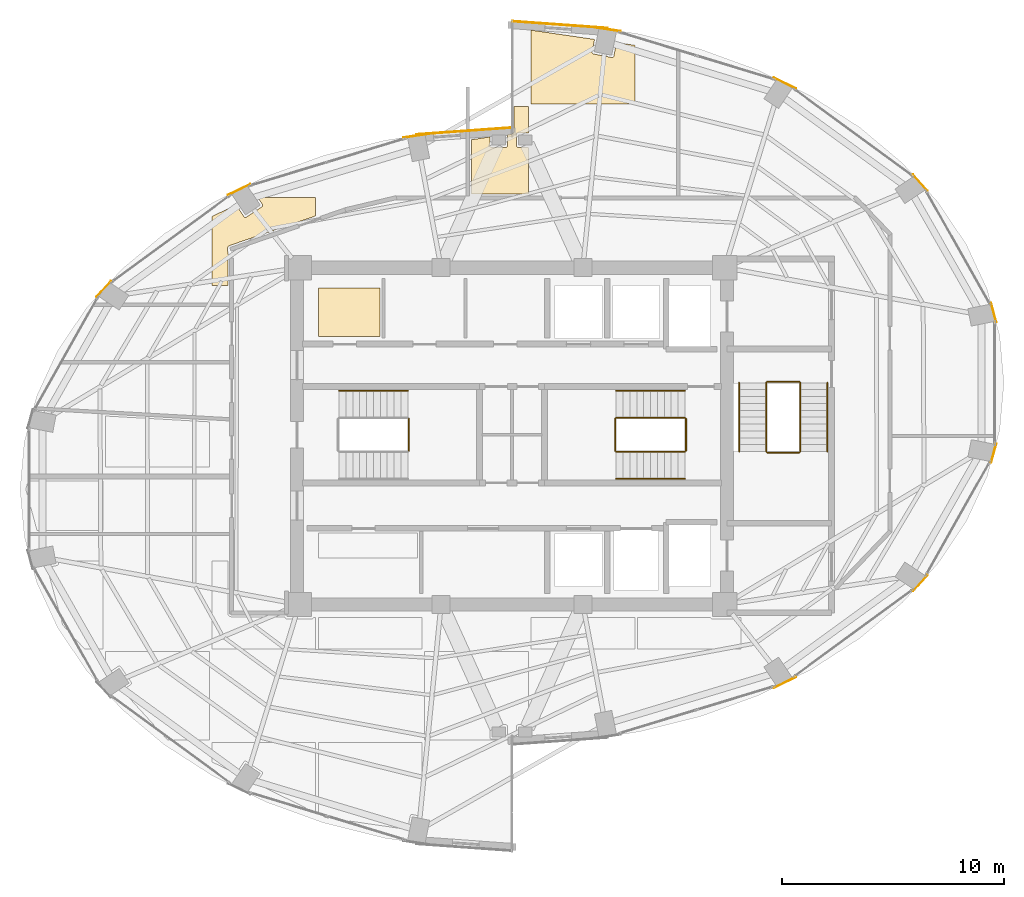
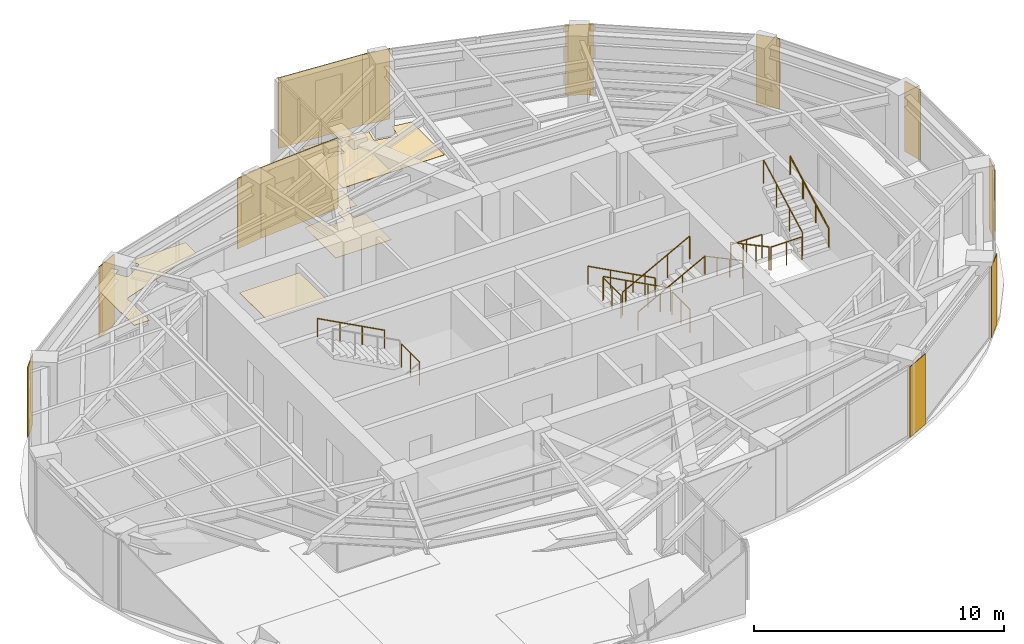
# One storey, part 23 of 23: 17 coverings, 14 railings.
"""IFC4 building model written with IfcOpenShell, lengths in metres."""

from ifc_helpers import new_model, si_unit, direction, frame, origin, origin_2d, place, context, subcontext, project, spatial, polyline, rectangle, circle, outline, extrude, material, layer, layer_set, type_object, element, save


model = new_model("IFC4")

# Units and contexts
model_context = context("Model", 3, precision=1e-05, world=origin(), true_north=direction((0.0, 1.0)))
body_context = subcontext(model_context, "Body", "Model", "MODEL_VIEW")
ifc_project = project(units=[si_unit("LENGTHUNIT", "METRE"), si_unit("AREAUNIT", "SQUARE_METRE"), si_unit("VOLUMEUNIT", "CUBIC_METRE"), si_unit("PLANEANGLEUNIT", "RADIAN"), si_unit("MASSUNIT", "GRAM", prefix="KILO")], contexts=[model_context])

# Site, building, storey
site_placement = place(None, origin())
site = spatial("IfcSite", under=ifc_project, at=site_placement, CompositionType="ELEMENT")
building_placement = place(site_placement, origin())
building = spatial("IfcBuilding", under=site, at=building_placement, Name="Lazwardi Medical Tower", CompositionType="ELEMENT")
storey_placement = place(building_placement, frame((0.0, 0.0, 209.424072265625)))
storey = spatial("IfcBuildingStorey", under=building, at=storey_placement, Name="L54", CompositionType="ELEMENT", Elevation=209.424072265625)

# Coverings
ifc_material_1 = material(Name="Anodised bronze aluminium cassette cladding", Category="aluminium")
ifc_layer_1 = layer(ifc_material_1, 0.030029296875)
ifc_layer_set_1 = layer_set([ifc_layer_1], Name="Anodised bronze aluminium cassette cladding")
covering_type_1 = type_object("IfcCoveringType", Name="COV-CLD-BRZ", PredefinedType="CLADDING", material=ifc_layer_set_1)
covering_1_placement = place(storey_placement, frame((48.311279296875, 16.878662109375, 0.0), z_axis=(0.0, 0.0, 1.0), x_axis=(0.897840141691, 0.440321564278, 0.0)))
element("IfcCovering", 1, at=covering_1_placement, inside=storey, type_object=covering_type_1, Name="L54 Mega-column bronze cassette cover M02", PredefinedType="CLADDING", context=body_context, shape_type="SweptSolid", body=[
    extrude(rectangle(XDim=1.110595703125, YDim=0.030029296875, at=origin_2d()), origin(), (0.0, 0.0, 1.0), 3.447998046875),
])
covering_2_placement = place(storey_placement, frame((54.42529296875, 21.365234375, 0.0), z_axis=(0.0, 0.0, 1.0), x_axis=(0.673240970654, 0.739423150458, 0.0)))
element("IfcCovering", 2, at=covering_2_placement, inside=storey, type_object=covering_type_1, Name="L54 Mega-column bronze cassette cover M03", PredefinedType="CLADDING", context=body_context, shape_type="SweptSolid", body=[
    extrude(rectangle(XDim=0.98974609375, YDim=0.030029296875, at=origin_2d()), origin(), (0.0, 0.0, 1.0), 3.447998046875),
])
for number, where, z_axis, x_axis, name in (
    (3, (57.734130859375, 27.227294921875, 0.0), (0.0, 0.0, 1.0), (0.261641748247, 0.96516506131, 0.0), "L54 Mega-column bronze cassette cover M04"),
    (4, (57.734130859375, 33.572509765625, 0.0), (0.0, 0.0, 1.0), (-0.261641748247, 0.96516506131, 0.0), "L54 Mega-column bronze cassette cover M05"),
):
    element("IfcCovering", number, at=place(storey_placement, frame(where, z_axis=z_axis, x_axis=x_axis)), inside=storey, type_object=covering_type_1, Name=name, PredefinedType="CLADDING", context=body_context, shape_type="SweptSolid", body=[
        extrude(rectangle(XDim=0.894287109375, YDim=0.030029296875, at=origin_2d()), origin(), (0.0, 0.0, 1.0), 3.447998046875),
    ])
covering_3_placement = place(storey_placement, frame((54.42529296875, 39.434814453125, 0.0), z_axis=(0.0, 0.0, 1.0), x_axis=(-0.673240970654, 0.739423150458, 0.0)))
element("IfcCovering", 5, at=covering_3_placement, inside=storey, type_object=covering_type_1, Name="L54 Mega-column bronze cassette cover M06", PredefinedType="CLADDING", context=body_context, shape_type="SweptSolid", body=[
    extrude(rectangle(XDim=0.98974609375, YDim=0.030029296875, at=origin_2d()), origin(), (0.0, 0.0, 1.0), 3.447998046875),
])
covering_4_placement = place(storey_placement, frame((48.311279296875, 43.92138671875, 0.0), z_axis=(0.0, 0.0, 1.0), x_axis=(-0.897840141691, 0.440321564278, 0.0)))
element("IfcCovering", 6, at=covering_4_placement, inside=storey, type_object=covering_type_1, Name="L54 Mega-column bronze cassette cover M07", PredefinedType="CLADDING", context=body_context, shape_type="SweptSolid", body=[
    extrude(rectangle(XDim=1.110595703125, YDim=0.030029296875, at=origin_2d()), origin(), (0.0, 0.0, 1.0), 3.447998046875),
])
for number, where, z_axis, x_axis, name in (
    (7, (40.3232421875, 46.349609375, 0.0), (0.0, 0.0, 1.0), (-0.989512431533, 0.144447733943, 0.0), "L54 Mega-column bronze cassette cover M08"),
    (8, (31.6767578125, 41.549560546875, 0.0), (0.0, 0.0, 1.0), (-0.989512431533, -0.144447733943, 0.0), "L54 Mega-column bronze cassette cover M09"),
):
    element("IfcCovering", number, at=place(storey_placement, frame(where, z_axis=z_axis, x_axis=x_axis)), inside=storey, type_object=covering_type_1, Name=name, PredefinedType="CLADDING", context=body_context, shape_type="SweptSolid", body=[
        extrude(rectangle(XDim=1.188720703125, YDim=0.030029296875, at=origin_2d()), origin(), (0.0, 0.0, 1.0), 3.447998046875),
    ])
covering_5_placement = place(storey_placement, frame((23.688720703125, 39.121337890625, 0.0), z_axis=(0.0, 0.0, 1.0), x_axis=(-0.897840141691, -0.440321564278, 0.0)))
element("IfcCovering", 9, at=covering_5_placement, inside=storey, type_object=covering_type_1, Name="L54 Mega-column bronze cassette cover M10", PredefinedType="CLADDING", context=body_context, shape_type="SweptSolid", body=[
    extrude(rectangle(XDim=1.110595703125, YDim=0.030029296875, at=origin_2d()), origin(), (0.0, 0.0, 1.0), 3.447998046875),
])
covering_6_placement = place(storey_placement, frame((17.57470703125, 34.634765625, 0.0), z_axis=(0.0, 0.0, 1.0), x_axis=(-0.673240970654, -0.739423150458, 0.0)))
element("IfcCovering", 10, at=covering_6_placement, inside=storey, type_object=covering_type_1, Name="L54 Mega-column bronze cassette cover M11", PredefinedType="CLADDING", context=body_context, shape_type="SweptSolid", body=[
    extrude(rectangle(XDim=0.98974609375, YDim=0.030029296875, at=origin_2d()), origin(), (0.0, 0.0, 1.0), 3.447998046875),
])
ifc_material_2 = material(Name="Turquoise glazed ceramic tilework cladding", Category="masonry")
ifc_layer_2 = layer(ifc_material_2, 0.034912109375)
ifc_layer_set_2 = layer_set([ifc_layer_2], Name="Turquoise glazed ceramic tilework cladding")
covering_type_2 = type_object("IfcCoveringType", Name="COV-CLD-TRQ", PredefinedType="CLADDING", material=ifc_layer_set_2)
covering_7_placement = place(storey_placement, frame((38.16259765625, 46.56005859375, 0.0), z_axis=(0.0, 0.0, 1.0), x_axis=(-0.997409491337, 0.071932653157, 0.0)))
element("IfcCovering", 11, at=covering_7_placement, inside=storey, type_object=covering_type_2, Name="L54 Turquoise glazed ceramic tilework cladding", PredefinedType="CLADDING", context=body_context, shape_type="SweptSolid", body=[
    extrude(rectangle(XDim=4.31103515625, YDim=0.034912109375, at=origin_2d()), origin(), (0.0, 0.0, 1.0), 3.447998046875),
])
covering_8_placement = place(storey_placement, frame((33.83740234375, 41.760009765625, 0.0), z_axis=(0.0, 0.0, 1.0), x_axis=(-0.997408989128, -0.071939616387, 0.0)))
element("IfcCovering", 12, at=covering_8_placement, inside=storey, type_object=covering_type_2, Name="L54 Turquoise glazed ceramic tilework cladding", PredefinedType="CLADDING", context=body_context, shape_type="SweptSolid", body=[
    extrude(rectangle(XDim=4.310546875, YDim=0.034912109375, at=origin_2d()), origin(), (0.0, 0.0, 1.0), 3.447998046875),
])
ifc_material_3 = material(Name="Acoustic mineral fibre tile")
ifc_layer_3 = layer(ifc_material_3, 0.02490234375)
ifc_layer_set_3 = layer_set([ifc_layer_3], Name="Acoustic mineral fibre tile")
covering_type_3 = type_object("IfcCoveringType", Name="COV-CLG-01", PredefinedType="CEILING", material=ifc_layer_set_3)
covering_9_placement = place(storey_placement, frame((0.0, 0.0, 3.302978515625)))
element("IfcCovering", 13, at=covering_9_placement, inside=storey, type_object=covering_type_3, Name="L54 Clinical Acoustic Ceiling 5", PredefinedType="CEILING", context=body_context, shape_type="SweptSolid", body=[
    extrude(outline(polyline([(24.52197265625, 38.7724609375), (24.732177734375, 38.4580078125), (24.736083984375, 38.451171875), (24.739501953125, 38.444091796875), (24.7421875, 38.436767578125), (24.744140625, 38.42919921875), (24.7451171875, 38.42138671875), (24.74560546875, 38.41357421875), (24.7451171875, 38.40576171875), (24.744140625, 38.39794921875), (24.7421875, 38.390380859375), (24.739501953125, 38.3828125), (24.736083984375, 38.375732421875), (24.732177734375, 38.369140625), (24.727294921875, 38.36279296875), (24.72216796875, 38.35693359375), (24.71630859375, 38.351806640625), (24.7099609375, 38.346923828125), (24.01171875, 37.88037109375), (24.0048828125, 37.876220703125), (23.997802734375, 37.872802734375), (23.990478515625, 37.8701171875), (23.98291015625, 37.868408203125), (23.97509765625, 37.8671875), (23.96728515625, 37.86669921875), (23.95947265625, 37.8671875), (23.95166015625, 37.868408203125), (23.944091796875, 37.8701171875), (23.9365234375, 37.872802734375), (23.929443359375, 37.876220703125), (23.9228515625, 37.88037109375), (23.91650390625, 37.885009765625), (23.91064453125, 37.89013671875), (23.905517578125, 37.89599609375), (23.900634765625, 37.90234375), (23.545654296875, 38.43359375), (22.462890625, 37.904052734375), (22.462890625, 34.79248046875), (23.175048828125, 34.79248046875), (23.175048828125, 35.982421875), (23.175048828125, 35.986572265625), (23.175537109375, 35.99609375), (23.176513671875, 36.00439453125), (23.177978515625, 36.01416015625), (23.179443359375, 36.021484375), (23.181884765625, 36.031005859375), (23.1845703125, 36.039306640625), (23.18798828125, 36.04833984375), (23.191162109375, 36.055419921875), (23.1953125, 36.064208984375), (23.199462890625, 36.071533203125), (23.20458984375, 36.079833984375), (23.209228515625, 36.086181640625), (23.212158203125, 36.090087890625), (23.1591796875, 36.40625), (23.15869140625, 36.410400390625), (23.15771484375, 36.419921875), (23.156982421875, 36.42724609375), (23.156982421875, 36.436767578125), (23.1572265625, 36.446044921875), (23.158203125, 36.45556640625), (23.1591796875, 36.462158203125), (23.160888671875, 36.4716796875), (23.162841796875, 36.480224609375), (23.16552734375, 36.4892578125), (23.16796875, 36.49658203125), (23.171630859375, 36.50537109375), (23.1748046875, 36.512451171875), (23.17919921875, 36.52099609375), (23.183837890625, 36.5283203125), (23.189208984375, 36.536376953125), (23.19384765625, 36.54248046875), (23.199951171875, 36.550048828125), (23.205078125, 36.5556640625), (23.211669921875, 36.5625), (23.218017578125, 36.56787109375), (23.225341796875, 36.573974609375), (23.2314453125, 36.57861328125), (23.239501953125, 36.583740234375), (23.24658203125, 36.587890625), (23.2548828125, 36.59228515625), (23.2626953125, 36.595947265625), (23.271728515625, 36.599365234375), (23.27490234375, 36.6005859375), (27.142822265625, 37.932861328125), (27.142822265625, 38.7724609375), (24.52197265625, 38.7724609375)])), origin(), (0.0, 0.0, 1.0), 0.02490234375),
])
covering_10_placement = place(storey_placement, frame((0.0, 0.0, 3.302978515625)))
element("IfcCovering", 14, at=covering_10_placement, inside=storey, type_object=covering_type_3, Name="L54 Clinical Acoustic Ceiling 7", PredefinedType="CEILING", context=body_context, shape_type="SweptSolid", body=[
    extrude(outline(polyline([(27.262939453125, 32.5), (30.0400390625, 32.5), (30.0400390625, 34.672607421875), (27.262939453125, 34.672607421875), (27.262939453125, 32.5)])), origin(), (0.0, 0.0, 1.0), 0.02490234375),
])
covering_11_placement = place(storey_placement, frame((0.0, 0.0, 3.302978515625)))
element("IfcCovering", 15, at=covering_11_placement, inside=storey, type_object=covering_type_3, Name="L54 Clinical Acoustic Ceiling 9", PredefinedType="CEILING", context=body_context, shape_type="SweptSolid", body=[
    extrude(outline(polyline([(36.742919921875, 41.02490234375), (36.280029296875, 41.02490234375), (36.272216796875, 41.025390625), (36.264404296875, 41.026611328125), (36.2568359375, 41.0283203125), (36.24951171875, 41.031005859375), (36.2421875, 41.034423828125), (36.235595703125, 41.03857421875), (36.229248046875, 41.043212890625), (36.223388671875, 41.04833984375), (36.21826171875, 41.05419921875), (36.21337890625, 41.060546875), (36.20947265625, 41.0673828125), (36.2060546875, 41.074462890625), (36.203369140625, 41.081787109375), (36.201416015625, 41.08935546875), (36.200439453125, 41.09716796875), (36.199951171875, 41.10498046875), (36.199951171875, 41.594970703125), (36.200439453125, 41.602783203125), (36.201416015625, 41.610595703125), (36.203369140625, 41.6181640625), (36.2060546875, 41.62548828125), (36.20947265625, 41.6328125), (36.21337890625, 41.639404296875), (36.21826171875, 41.645751953125), (36.223388671875, 41.651611328125), (36.229248046875, 41.65673828125), (36.235595703125, 41.66162109375), (36.2421875, 41.66552734375), (36.24951171875, 41.6689453125), (36.2568359375, 41.671630859375), (36.264404296875, 41.673583984375), (36.272216796875, 41.674560546875), (36.280029296875, 41.675048828125), (36.742919921875, 41.675048828125), (36.742919921875, 42.87255859375), (36.080078125, 42.87255859375), (36.080078125, 41.719970703125), (36.07958984375, 41.71240234375), (36.07861328125, 41.704833984375), (36.076904296875, 41.697509765625), (36.07421875, 41.690185546875), (36.071044921875, 41.683349609375), (36.0673828125, 41.6767578125), (36.06298828125, 41.670654296875), (36.05810546875, 41.664794921875), (36.052490234375, 41.65966796875), (36.04638671875, 41.65478515625), (36.0400390625, 41.65087890625), (36.033203125, 41.647216796875), (36.0263671875, 41.644287109375), (36.01904296875, 41.642333984375), (36.011474609375, 41.640869140625), (35.798583984375, 41.60986328125), (35.799560546875, 41.602783203125), (35.800048828125, 41.594970703125), (35.800048828125, 41.10498046875), (35.799560546875, 41.09716796875), (35.798583984375, 41.08935546875), (35.796630859375, 41.081787109375), (35.7939453125, 41.074462890625), (35.79052734375, 41.0673828125), (35.78662109375, 41.060546875), (35.78173828125, 41.05419921875), (35.776611328125, 41.04833984375), (35.770751953125, 41.043212890625), (35.764404296875, 41.03857421875), (35.7578125, 41.034423828125), (35.75048828125, 41.031005859375), (35.7431640625, 41.0283203125), (35.735595703125, 41.026611328125), (35.727783203125, 41.025390625), (35.719970703125, 41.02490234375), (35.080078125, 41.02490234375), (35.072265625, 41.025390625), (35.064453125, 41.026611328125), (35.056884765625, 41.0283203125), (35.04931640625, 41.031005859375), (35.042236328125, 41.034423828125), (35.03564453125, 41.03857421875), (35.029296875, 41.043212890625), (35.0234375, 41.04833984375), (35.018310546875, 41.05419921875), (35.013427734375, 41.060546875), (35.009521484375, 41.0673828125), (35.006103515625, 41.074462890625), (35.00341796875, 41.081787109375), (35.00146484375, 41.08935546875), (35.00048828125, 41.09716796875), (35.0, 41.10498046875), (35.0, 41.493408203125), (34.1650390625, 41.371826171875), (34.1650390625, 38.925048828125), (36.742919921875, 38.925048828125), (36.742919921875, 41.02490234375)])), origin(), (0.0, 0.0, 1.0), 0.02490234375),
])
ifc_material_4 = material(Name="Anti-static hospital vinyl sheet flooring")
ifc_layer_4 = layer(ifc_material_4, 0.014892578125)
ifc_layer_set_4 = layer_set([ifc_layer_4], Name="Anti-static hospital vinyl sheet flooring")
covering_type_4 = type_object("IfcCoveringType", Name="COV-FLR-01", PredefinedType="FLOORING", material=ifc_layer_set_4)
covering_12_placement = place(storey_placement, origin())
element("IfcCovering", 16, at=covering_12_placement, inside=storey, type_object=covering_type_4, Name="L54 Clinical Vinyl Flooring 8", PredefinedType="FLOORING", context=body_context, shape_type="SweptSolid", body=[
    extrude(outline(polyline([(36.742919921875, 41.02490234375), (36.280029296875, 41.02490234375), (36.272216796875, 41.025390625), (36.264404296875, 41.026611328125), (36.2568359375, 41.0283203125), (36.24951171875, 41.031005859375), (36.2421875, 41.034423828125), (36.235595703125, 41.03857421875), (36.229248046875, 41.043212890625), (36.223388671875, 41.04833984375), (36.21826171875, 41.05419921875), (36.21337890625, 41.060546875), (36.20947265625, 41.0673828125), (36.2060546875, 41.074462890625), (36.203369140625, 41.081787109375), (36.201416015625, 41.08935546875), (36.200439453125, 41.09716796875), (36.199951171875, 41.10498046875), (36.199951171875, 41.594970703125), (36.200439453125, 41.602783203125), (36.201416015625, 41.610595703125), (36.203369140625, 41.6181640625), (36.2060546875, 41.62548828125), (36.20947265625, 41.6328125), (36.21337890625, 41.639404296875), (36.21826171875, 41.645751953125), (36.223388671875, 41.651611328125), (36.229248046875, 41.65673828125), (36.235595703125, 41.66162109375), (36.2421875, 41.66552734375), (36.24951171875, 41.6689453125), (36.2568359375, 41.671630859375), (36.264404296875, 41.673583984375), (36.272216796875, 41.674560546875), (36.280029296875, 41.675048828125), (36.742919921875, 41.675048828125), (36.742919921875, 42.87255859375), (36.080078125, 42.87255859375), (36.080078125, 41.719970703125), (36.07958984375, 41.71240234375), (36.07861328125, 41.704833984375), (36.076904296875, 41.697509765625), (36.07421875, 41.690185546875), (36.071044921875, 41.683349609375), (36.0673828125, 41.6767578125), (36.06298828125, 41.670654296875), (36.05810546875, 41.664794921875), (36.052490234375, 41.65966796875), (36.04638671875, 41.65478515625), (36.0400390625, 41.65087890625), (36.033203125, 41.647216796875), (36.0263671875, 41.644287109375), (36.01904296875, 41.642333984375), (36.011474609375, 41.640869140625), (35.798583984375, 41.60986328125), (35.799560546875, 41.602783203125), (35.800048828125, 41.594970703125), (35.800048828125, 41.10498046875), (35.799560546875, 41.09716796875), (35.798583984375, 41.08935546875), (35.796630859375, 41.081787109375), (35.7939453125, 41.074462890625), (35.79052734375, 41.0673828125), (35.78662109375, 41.060546875), (35.78173828125, 41.05419921875), (35.776611328125, 41.04833984375), (35.770751953125, 41.043212890625), (35.764404296875, 41.03857421875), (35.7578125, 41.034423828125), (35.75048828125, 41.031005859375), (35.7431640625, 41.0283203125), (35.735595703125, 41.026611328125), (35.727783203125, 41.025390625), (35.719970703125, 41.02490234375), (35.080078125, 41.02490234375), (35.072265625, 41.025390625), (35.064453125, 41.026611328125), (35.056884765625, 41.0283203125), (35.04931640625, 41.031005859375), (35.042236328125, 41.034423828125), (35.03564453125, 41.03857421875), (35.029296875, 41.043212890625), (35.0234375, 41.04833984375), (35.018310546875, 41.05419921875), (35.013427734375, 41.060546875), (35.009521484375, 41.0673828125), (35.006103515625, 41.074462890625), (35.00341796875, 41.081787109375), (35.00146484375, 41.08935546875), (35.00048828125, 41.09716796875), (35.0, 41.10498046875), (35.0, 41.493408203125), (34.1650390625, 41.371826171875), (34.1650390625, 38.925048828125), (36.742919921875, 38.925048828125), (36.742919921875, 41.02490234375)])), origin(), (0.0, 0.0, 1.0), 0.014892578125),
])
covering_13_placement = place(storey_placement, origin())
element("IfcCovering", 17, at=covering_13_placement, inside=storey, type_object=covering_type_4, Name="L54 Clinical Vinyl Flooring 10", PredefinedType="FLOORING", context=body_context, shape_type="SweptSolid", body=[
    extrude(outline(polyline([(41.54296875, 45.632080078125), (40.714599609375, 45.752685546875), (40.59326171875, 45.1416015625), (40.59130859375, 45.134033203125), (40.588623046875, 45.126708984375), (40.585205078125, 45.11962890625), (40.581298828125, 45.11279296875), (40.576416015625, 45.1064453125), (40.5712890625, 45.1005859375), (40.5654296875, 45.095458984375), (40.55908203125, 45.0908203125), (40.552490234375, 45.086669921875), (40.54541015625, 45.08349609375), (40.537841796875, 45.080810546875), (40.5302734375, 45.078857421875), (40.5224609375, 45.07763671875), (40.5146484375, 45.077392578125), (40.5068359375, 45.07763671875), (40.4990234375, 45.078857421875), (39.67529296875, 45.24267578125), (39.667724609375, 45.24462890625), (39.660400390625, 45.247314453125), (39.6533203125, 45.25048828125), (39.646484375, 45.254638671875), (39.64013671875, 45.259521484375), (39.63427734375, 45.2646484375), (39.629150390625, 45.2705078125), (39.62451171875, 45.27685546875), (39.620361328125, 45.283447265625), (39.616943359375, 45.29052734375), (39.6142578125, 45.298095703125), (39.6123046875, 45.3056640625), (39.611328125, 45.3134765625), (39.61083984375, 45.3212890625), (39.611328125, 45.3291015625), (39.6123046875, 45.3369140625), (39.723876953125, 45.89697265625), (36.86279296875, 46.3134765625), (36.86279296875, 42.992431640625), (41.54296875, 42.992431640625), (41.54296875, 45.632080078125)])), origin(), (0.0, 0.0, 1.0), 0.014892578125),
])

# Railings
ifc_material_5 = material(Name="Stainless steel Grade 316", Category="steel")
railing_type_1 = type_object("IfcRailingType", Name="RLG-GRD-1150", PredefinedType="GUARDRAIL", material=ifc_material_5)
railing_1_placement = place(storey_placement, frame((31.35009765625, 27.340087890625, 1.823974609375)))
element("IfcRailing", 18, at=railing_1_placement, inside=storey, type_object=railing_type_1, Name="L54 ST1 stair guard 2", PredefinedType="GUARDRAIL", context=body_context, shape_type="SweptSolid", body=[
    extrude(circle(Radius=0.02392578125, at=origin_2d()), frame((0.0, 0.0, 1.1259765625), z_axis=(0.0, 1.0, 0.0), x_axis=(-1.0, 0.0, 0.0)), (0.0, 0.0, 1.0), 1.43994140625),
    extrude(circle(Radius=0.02099609375, at=origin_2d()), origin(), (0.0, 0.0, 1.0), 1.099853515625),
    extrude(circle(Radius=0.02099609375, at=origin_2d()), frame((0.0, 0.719970703125, 0.0)), (0.0, 0.0, 1.0), 1.099853515625),
    extrude(circle(Radius=0.02099609375, at=origin_2d()), frame((0.0, 1.43994140625, 0.0)), (0.0, 0.0, 1.0), 1.099853515625),
])
railing_2_placement = place(storey_placement, frame((43.800048828125, 28.830078125, 0.165771484375)))
element("IfcRailing", 19, at=railing_2_placement, inside=storey, type_object=railing_type_1, Name="L54 ST2 stair guard 1", PredefinedType="GUARDRAIL", context=body_context, shape_type="SweptSolid", body=[
    extrude(circle(Radius=0.02392578125, at=origin_2d()), frame((0.0, 0.0, 1.1259765625), z_axis=(-0.881783298633, 0.0, 0.471654761719), x_axis=(0.0, -1.0, 0.0)), (0.0, 0.0, 1.0), 3.515625),
    extrude(circle(Radius=0.02099609375, at=origin_2d()), origin(), (0.0, 0.0, 1.0), 1.099853515625),
    extrude(circle(Radius=0.02099609375, at=origin_2d()), frame((-1.033447265625, 0.0, 0.552734375)), (0.0, 0.0, 1.0), 1.099853515625),
    extrude(circle(Radius=0.02099609375, at=origin_2d()), frame((-2.066650390625, 0.0, 1.10546875)), (0.0, 0.0, 1.0), 1.099853515625),
    extrude(circle(Radius=0.02099609375, at=origin_2d()), frame((-3.10009765625, 0.0, 1.658203125)), (0.0, 0.0, 1.0), 1.099853515625),
])
railing_3_placement = place(storey_placement, frame((40.64990234375, 28.780029296875, 1.823974609375)))
element("IfcRailing", 20, at=railing_3_placement, inside=storey, type_object=railing_type_1, Name="L54 ST2 stair guard 2", PredefinedType="GUARDRAIL", context=body_context, shape_type="SweptSolid", body=[
    extrude(circle(Radius=0.02392578125, at=origin_2d()), frame((0.0, 0.0, 1.1259765625), z_axis=(0.0, -1.0, 0.0), x_axis=(1.0, 0.0, 0.0)), (0.0, 0.0, 1.0), 1.43994140625),
    extrude(circle(Radius=0.02099609375, at=origin_2d()), origin(), (0.0, 0.0, 1.0), 1.099853515625),
    extrude(circle(Radius=0.02099609375, at=origin_2d()), frame((0.0, -0.719970703125, 0.0)), (0.0, 0.0, 1.0), 1.099853515625),
    extrude(circle(Radius=0.02099609375, at=origin_2d()), frame((0.0, -1.43994140625, 0.0)), (0.0, 0.0, 1.0), 1.099853515625),
])
railing_4_placement = place(storey_placement, frame((40.699951171875, 27.2900390625, 1.98974609375)))
element("IfcRailing", 21, at=railing_4_placement, inside=storey, type_object=railing_type_1, Name="L54 ST2 stair guard 3", PredefinedType="GUARDRAIL", context=body_context, shape_type="SweptSolid", body=[
    extrude(circle(Radius=0.02392578125, at=origin_2d()), frame((0.0, 0.0, 1.1259765625), z_axis=(0.881783298633, 0.0, 0.471654761719), x_axis=(0.0, 1.0, 0.0)), (0.0, 0.0, 1.0), 3.515625),
    extrude(circle(Radius=0.02099609375, at=origin_2d()), origin(), (0.0, 0.0, 1.0), 1.099853515625),
    extrude(circle(Radius=0.02099609375, at=origin_2d()), frame((1.033447265625, 0.0, 0.552734375)), (0.0, 0.0, 1.0), 1.099853515625),
    extrude(circle(Radius=0.02099609375, at=origin_2d()), frame((2.066650390625, 0.0, 1.10546875)), (0.0, 0.0, 1.0), 1.099853515625),
    extrude(circle(Radius=0.02099609375, at=origin_2d()), frame((3.10009765625, 0.0, 1.658203125)), (0.0, 0.0, 1.0), 1.099853515625),
])
railing_5_placement = place(storey_placement, frame((43.85009765625, 28.780029296875, 0.0)))
element("IfcRailing", 22, at=railing_5_placement, inside=storey, type_object=railing_type_1, Name="L54 ST2 stair guard 4", PredefinedType="GUARDRAIL", context=body_context, shape_type="SweptSolid", body=[
    extrude(circle(Radius=0.02392578125, at=origin_2d()), frame((0.0, 0.0, 1.1259765625), z_axis=(0.0, -1.0, 0.0), x_axis=(1.0, 0.0, 0.0)), (0.0, 0.0, 1.0), 1.43994140625),
    extrude(circle(Radius=0.02099609375, at=origin_2d()), origin(), (0.0, 0.0, 1.0), 1.099853515625),
    extrude(circle(Radius=0.02099609375, at=origin_2d()), frame((0.0, -0.719970703125, 0.0)), (0.0, 0.0, 1.0), 1.099853515625),
    extrude(circle(Radius=0.02099609375, at=origin_2d()), frame((0.0, -1.43994140625, 0.0)), (0.0, 0.0, 1.0), 1.099853515625),
])
railing_6_placement = place(storey_placement, frame((47.469970703125, 30.39990234375, 0.165771484375)))
element("IfcRailing", 23, at=railing_6_placement, inside=storey, type_object=railing_type_1, Name="L54 ST3 stair guard 1", PredefinedType="GUARDRAIL", context=body_context, shape_type="SweptSolid", body=[
    extrude(circle(Radius=0.02392578125, at=origin_2d()), frame((0.0, 0.0, 1.1259765625), z_axis=(0.0, -0.881767849116, 0.471683644262), x_axis=(1.0, 0.0, 0.0)), (0.0, 0.0, 1.0), 3.515380859375),
    extrude(circle(Radius=0.02099609375, at=origin_2d()), origin(), (0.0, 0.0, 1.0), 1.099853515625),
    extrude(circle(Radius=0.02099609375, at=origin_2d()), frame((0.0, -1.033203125, 0.552734375)), (0.0, 0.0, 1.0), 1.099853515625),
    extrude(circle(Radius=0.02099609375, at=origin_2d()), frame((0.0, -2.066650390625, 1.10546875)), (0.0, 0.0, 1.0), 1.099853515625),
    extrude(circle(Radius=0.02099609375, at=origin_2d()), frame((0.0, -3.099853515625, 1.658203125)), (0.0, 0.0, 1.0), 1.099853515625),
])
railing_7_placement = place(storey_placement, frame((47.52001953125, 27.25, 1.823974609375)))
element("IfcRailing", 24, at=railing_7_placement, inside=storey, type_object=railing_type_1, Name="L54 ST3 stair guard 2", PredefinedType="GUARDRAIL", context=body_context, shape_type="SweptSolid", body=[
    extrude(circle(Radius=0.02392578125, at=origin_2d()), frame((0.0, 0.0, 1.1259765625), z_axis=(1.0, 0.0, 0.0), x_axis=(0.0, 1.0, 0.0)), (0.0, 0.0, 1.0), 1.43994140625),
    extrude(circle(Radius=0.02099609375, at=origin_2d()), origin(), (0.0, 0.0, 1.0), 1.099853515625),
    extrude(circle(Radius=0.02099609375, at=origin_2d()), frame((0.719970703125, 0.0, 0.0)), (0.0, 0.0, 1.0), 1.099853515625),
    extrude(circle(Radius=0.02099609375, at=origin_2d()), frame((1.43994140625, 0.0, 0.0)), (0.0, 0.0, 1.0), 1.099853515625),
])
railing_8_placement = place(storey_placement, frame((49.010009765625, 27.300048828125, 1.98974609375)))
element("IfcRailing", 25, at=railing_8_placement, inside=storey, type_object=railing_type_1, Name="L54 ST3 stair guard 3", PredefinedType="GUARDRAIL", context=body_context, shape_type="SweptSolid", body=[
    extrude(circle(Radius=0.02392578125, at=origin_2d()), frame((0.0, 0.0, 1.1259765625), z_axis=(0.0, 0.881767849116, 0.471683644262), x_axis=(-1.0, 0.0, 0.0)), (0.0, 0.0, 1.0), 3.515380859375),
    extrude(circle(Radius=0.02099609375, at=origin_2d()), origin(), (0.0, 0.0, 1.0), 1.099853515625),
    extrude(circle(Radius=0.02099609375, at=origin_2d()), frame((0.0, 1.033203125, 0.552734375)), (0.0, 0.0, 1.0), 1.099853515625),
    extrude(circle(Radius=0.02099609375, at=origin_2d()), frame((0.0, 2.066650390625, 1.10546875)), (0.0, 0.0, 1.0), 1.099853515625),
    extrude(circle(Radius=0.02099609375, at=origin_2d()), frame((0.0, 3.099853515625, 1.658203125)), (0.0, 0.0, 1.0), 1.099853515625),
])
railing_9_placement = place(storey_placement, frame((47.52001953125, 30.449951171875, 0.0)))
element("IfcRailing", 26, at=railing_9_placement, inside=storey, type_object=railing_type_1, Name="L54 ST3 stair guard 4", PredefinedType="GUARDRAIL", context=body_context, shape_type="SweptSolid", body=[
    extrude(circle(Radius=0.02392578125, at=origin_2d()), frame((0.0, 0.0, 1.1259765625), z_axis=(1.0, 0.0, 0.0), x_axis=(0.0, 1.0, 0.0)), (0.0, 0.0, 1.0), 1.43994140625),
    extrude(circle(Radius=0.02099609375, at=origin_2d()), origin(), (0.0, 0.0, 1.0), 1.099853515625),
    extrude(circle(Radius=0.02099609375, at=origin_2d()), frame((0.719970703125, 0.0, 0.0)), (0.0, 0.0, 1.0), 1.099853515625),
    extrude(circle(Radius=0.02099609375, at=origin_2d()), frame((1.43994140625, 0.0, 0.0)), (0.0, 0.0, 1.0), 1.099853515625),
])
railing_type_2 = type_object("IfcRailingType", Name="RLG-HND-920", PredefinedType="HANDRAIL", material=ifc_material_5)
for number, where, name in (
    (27, (31.300048828125, 30.050048828125, 1.98974609375), "L54 ST1 stair handrail 2"),
    (28, (43.800048828125, 30.050048828125, 0.165771484375), "L54 ST2 stair handrail 1"),
):
    element("IfcRailing", number, at=place(storey_placement, frame(where)), inside=storey, type_object=railing_type_2, Name=name, PredefinedType="HANDRAIL", context=body_context, shape_type="SweptSolid", body=[
        extrude(circle(Radius=0.02392578125, at=origin_2d()), frame((0.0, 0.0, 0.8857421875), z_axis=(-0.881783298633, 0.0, 0.471654761719), x_axis=(0.0, -1.0, 0.0)), (0.0, 0.0, 1.0), 3.515625),
        extrude(circle(Radius=0.02099609375, at=origin_2d()), origin(), (0.0, 0.0, 1.0), 0.85986328125),
        extrude(circle(Radius=0.02099609375, at=origin_2d()), frame((-1.033447265625, 0.0, 0.552734375)), (0.0, 0.0, 1.0), 0.85986328125),
        extrude(circle(Radius=0.02099609375, at=origin_2d()), frame((-2.066650390625, 0.0, 1.10546875)), (0.0, 0.0, 1.0), 0.85986328125),
        extrude(circle(Radius=0.02099609375, at=origin_2d()), frame((-3.10009765625, 0.0, 1.658203125)), (0.0, 0.0, 1.0), 0.85986328125),
    ])
railing_10_placement = place(storey_placement, frame((40.699951171875, 26.070068359375, 1.98974609375)))
element("IfcRailing", 29, at=railing_10_placement, inside=storey, type_object=railing_type_2, Name="L54 ST2 stair handrail 2", PredefinedType="HANDRAIL", context=body_context, shape_type="SweptSolid", body=[
    extrude(circle(Radius=0.02392578125, at=origin_2d()), frame((0.0, 0.0, 0.8857421875), z_axis=(0.881783298633, 0.0, 0.471654761719), x_axis=(0.0, 1.0, 0.0)), (0.0, 0.0, 1.0), 3.515625),
    extrude(circle(Radius=0.02099609375, at=origin_2d()), origin(), (0.0, 0.0, 1.0), 0.85986328125),
    extrude(circle(Radius=0.02099609375, at=origin_2d()), frame((1.033447265625, 0.0, 0.552734375)), (0.0, 0.0, 1.0), 0.85986328125),
    extrude(circle(Radius=0.02099609375, at=origin_2d()), frame((2.066650390625, 0.0, 1.10546875)), (0.0, 0.0, 1.0), 0.85986328125),
    extrude(circle(Radius=0.02099609375, at=origin_2d()), frame((3.10009765625, 0.0, 1.658203125)), (0.0, 0.0, 1.0), 0.85986328125),
])
railing_11_placement = place(storey_placement, frame((46.25, 30.39990234375, 0.165771484375)))
element("IfcRailing", 30, at=railing_11_placement, inside=storey, type_object=railing_type_2, Name="L54 ST3 stair handrail 1", PredefinedType="HANDRAIL", context=body_context, shape_type="SweptSolid", body=[
    extrude(circle(Radius=0.02392578125, at=origin_2d()), frame((0.0, 0.0, 0.8857421875), z_axis=(0.0, -0.881767849116, 0.471683644262), x_axis=(1.0, 0.0, 0.0)), (0.0, 0.0, 1.0), 3.515380859375),
    extrude(circle(Radius=0.02099609375, at=origin_2d()), origin(), (0.0, 0.0, 1.0), 0.85986328125),
    extrude(circle(Radius=0.02099609375, at=origin_2d()), frame((0.0, -1.033203125, 0.552734375)), (0.0, 0.0, 1.0), 0.85986328125),
    extrude(circle(Radius=0.02099609375, at=origin_2d()), frame((0.0, -2.066650390625, 1.10546875)), (0.0, 0.0, 1.0), 0.85986328125),
    extrude(circle(Radius=0.02099609375, at=origin_2d()), frame((0.0, -3.099853515625, 1.658203125)), (0.0, 0.0, 1.0), 0.85986328125),
])
railing_12_placement = place(storey_placement, frame((50.22998046875, 27.300048828125, 1.98974609375)))
element("IfcRailing", 31, at=railing_12_placement, inside=storey, type_object=railing_type_2, Name="L54 ST3 stair handrail 2", PredefinedType="HANDRAIL", context=body_context, shape_type="SweptSolid", body=[
    extrude(circle(Radius=0.02392578125, at=origin_2d()), frame((0.0, 0.0, 0.8857421875), z_axis=(0.0, 0.881767849116, 0.471683644262), x_axis=(-1.0, 0.0, 0.0)), (0.0, 0.0, 1.0), 3.515380859375),
    extrude(circle(Radius=0.02099609375, at=origin_2d()), origin(), (0.0, 0.0, 1.0), 0.85986328125),
    extrude(circle(Radius=0.02099609375, at=origin_2d()), frame((0.0, 1.033203125, 0.552734375)), (0.0, 0.0, 1.0), 0.85986328125),
    extrude(circle(Radius=0.02099609375, at=origin_2d()), frame((0.0, 2.066650390625, 1.10546875)), (0.0, 0.0, 1.0), 0.85986328125),
    extrude(circle(Radius=0.02099609375, at=origin_2d()), frame((0.0, 3.099853515625, 1.658203125)), (0.0, 0.0, 1.0), 0.85986328125),
])

save(model, "model.ifc")
